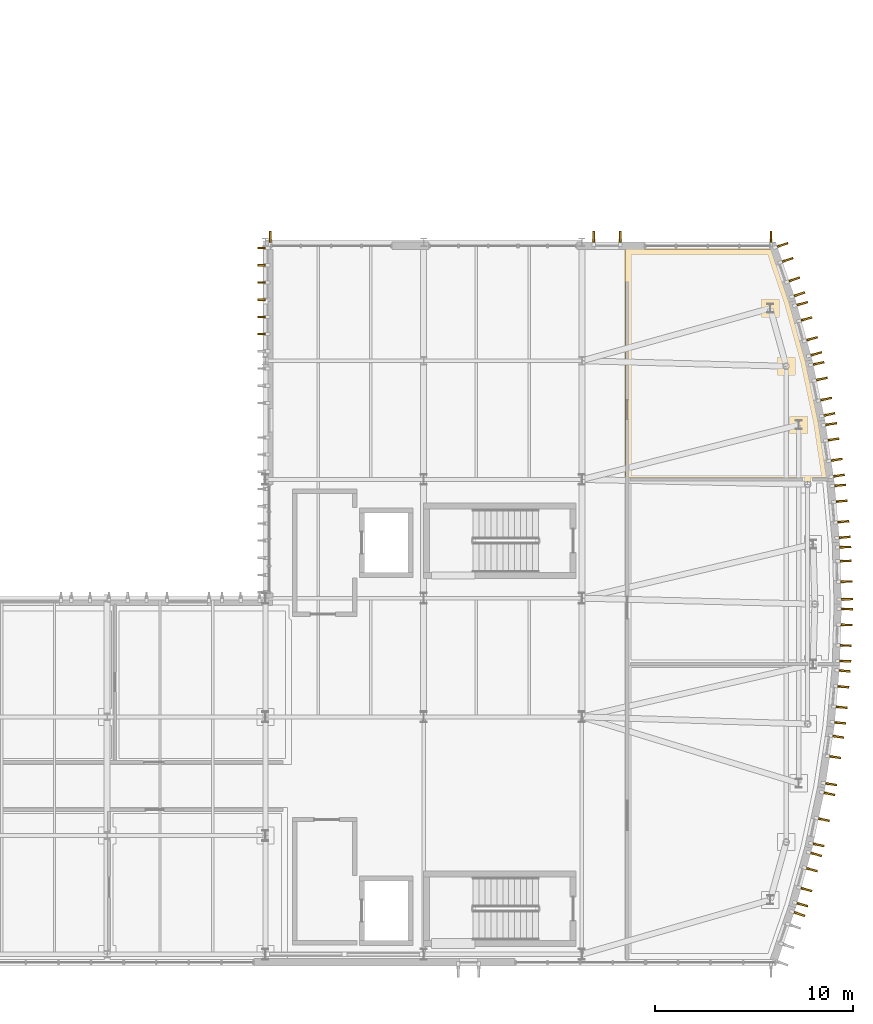
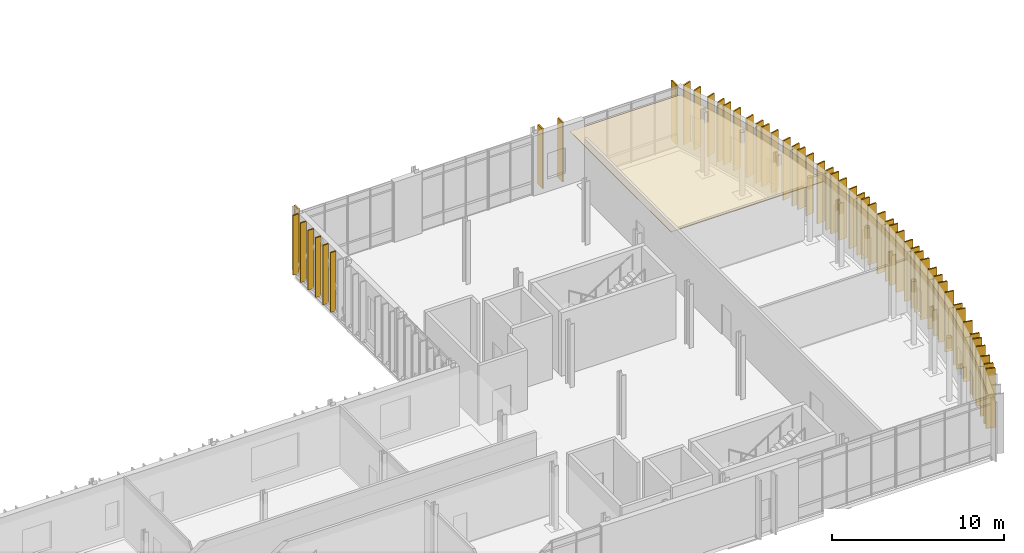
# One storey, part 100 of 100: 54 coverings.
"""IFC4 building model written with IfcOpenShell, lengths in metres."""

from ifc_helpers import new_model, si_unit, direction, frame, origin, origin_2d, place, context, subcontext, project, spatial, polyline, rectangle, outline, extrude, material, layer, layer_set, type_object, element, save


model = new_model("IFC4")

# Units and contexts
model_context = context("Model", 3, precision=1e-05, world=origin(), true_north=direction((0.0, 1.0)))
body_context = subcontext(model_context, "Body", "Model", "MODEL_VIEW")
ifc_project = project(units=[si_unit("LENGTHUNIT", "METRE"), si_unit("AREAUNIT", "SQUARE_METRE"), si_unit("VOLUMEUNIT", "CUBIC_METRE"), si_unit("PLANEANGLEUNIT", "RADIAN"), si_unit("MASSUNIT", "GRAM", prefix="KILO")], contexts=[model_context])

# Site, building, storey
site_placement = place(None, origin())
site = spatial("IfcSite", under=ifc_project, at=site_placement, CompositionType="ELEMENT")
building_placement = place(site_placement, origin())
building = spatial("IfcBuilding", under=site, at=building_placement, Name="Cymarion Research Institute", CompositionType="ELEMENT")
storey_placement = place(building_placement, frame((0.0, 0.0, 9.300048828125)))
storey = spatial("IfcBuildingStorey", under=building, at=storey_placement, Name="L02", CompositionType="ELEMENT", Elevation=9.300048828125)

# Coverings
ifc_material_1 = material(Name="Micro-perforated mineral acoustic ceiling tile", Category="gypsum")
ifc_layer_1 = layer(ifc_material_1, 0.030029296875)
ifc_layer_set_1 = layer_set([ifc_layer_1], Name="Micro-perforated mineral acoustic ceiling tile")
covering_type_1 = type_object("IfcCoveringType", Name="ACOUSTIC MICRO-PERFORATED SUSPENDED CEILING CLG-01", PredefinedType="CEILING", material=ifc_layer_set_1)
covering_placement = place(storey_placement, frame((0.0, 0.0, 3.699951171875)))
element("IfcCovering", 1, at=covering_placement, inside=storey, type_object=covering_type_1, Name="L02 L02 Prow Collaborative Reading Lounge acoustic ceiling", PredefinedType="CEILING", context=body_context, shape_type="SweptSolid", body=[
    extrude(outline(polyline([(164.22412109375, 41.1650390625), (165.14599609375, 38.47021484375), (165.971923828125, 35.482666015625), (166.617431640625, 32.45068359375), (167.080322265625, 29.385009765625), (156.784912109375, 29.385009765625), (156.784912109375, 41.1650390625), (164.22412109375, 41.1650390625)])), origin(), (0.0, 0.0, 1.0), 0.030029296875),
])
ifc_material_2 = material(Name="Precast concrete C45/55 architectural white", Category="concrete")
ifc_layer_2 = layer(ifc_material_2, 0.090087890625)
ifc_layer_set_2 = layer_set([ifc_layer_2], Name="Precast concrete C45/55 architectural white")
covering_type_2 = type_object("IfcCoveringType", Name="ARCHITECTURAL WHITE PRECAST CONCRETE VERTICAL FIN FIN1 560MM", PredefinedType="CLADDING", material=ifc_layer_set_2)
for number, where, z_axis, x_axis, name in (
    (2, (165.597900390625, 7.530029296875, 0.010009765625), (0.0, 0.0, 1.0), (0.946141878672, -0.32375229022, 0.0), "L02 V1 white precast vertical fin FIN1 #217"),
    (3, (165.74462890625, 8.004638671875, 0.010009765625), (0.0, 0.0, 1.0), (0.963863295733, -0.266397348219, 0.0), "L02 V1 white precast vertical fin FIN1 #218"),
    (4, (165.95556640625, 8.76806640625, 0.010009765625), (0.0, 0.0, 1.0), (0.963863295733, -0.266397348219, 0.0), "L02 V1 white precast vertical fin FIN1 #219"),
    (5, (166.232666015625, 9.7705078125, 0.010009765625), (0.0, 0.0, 1.0), (0.963863295733, -0.266397348219, 0.0), "L02 V1 white precast vertical fin FIN1 #220"),
    (6, (166.447021484375, 10.545654296875, 0.010009765625), (0.0, 0.0, 1.0), (0.963863295733, -0.266397348219, 0.0), "L02 V1 white precast vertical fin FIN1 #221"),
    (7, (166.56494140625, 11.028076171875, 0.010009765625), (0.0, 0.0, 1.0), (0.978074966272, -0.208253116068, 0.0), "L02 V1 white precast vertical fin FIN1 #222"),
    (8, (166.8359375, 12.300537109375, 0.010009765625), (0.0, 0.0, 1.0), (0.978074966272, -0.208253116068, 0.0), "L02 V1 white precast vertical fin FIN1 #223"),
    (9, (167.114013671875, 13.606689453125, 0.010009765625), (0.0, 0.0, 1.0), (0.978074966272, -0.208253116068, 0.0), "L02 V1 white precast vertical fin FIN1 #224"),
    (10, (167.202880859375, 14.09521484375, 0.010009765625), (0.0, 0.0, 1.0), (0.988782464828, -0.149362770624, 0.0), "L02 V1 white precast vertical fin FIN1 #225"),
    (11, (167.409423828125, 15.4638671875, 0.010009765625), (0.0, 0.0, 1.0), (0.988782464828, -0.149362770624, 0.0), "L02 V1 white precast vertical fin FIN1 #226"),
    (12, (167.564697265625, 16.4921875, 0.010009765625), (0.0, 0.0, 1.0), (0.988782464828, -0.149362770624, 0.0), "L02 V1 white precast vertical fin FIN1 #227"),
    (13, (167.65576171875, 17.195068359375, 0.010009765625), (0.0, 0.0, 1.0), (0.995963111248, -0.089763472712, 0.0), "L02 V1 white precast vertical fin FIN1 #228"),
    (14, (167.726806640625, 17.98388671875, 0.010009765625), (0.0, 0.0, 1.0), (0.995963111248, -0.089763472712, 0.0), "L02 V1 white precast vertical fin FIN1 #229"),
    (15, (167.8203125, 19.019775390625, 0.010009765625), (0.0, 0.0, 1.0), (0.995963111248, -0.089763472712, 0.0), "L02 V1 white precast vertical fin FIN1 #230"),
    (16, (167.892333984375, 19.82080078125, 0.010009765625), (0.0, 0.0, 1.0), (0.995963111248, -0.089763472712, 0.0), "L02 V1 white precast vertical fin FIN1 #231"),
    (17, (167.922119140625, 20.31640625, 0.010009765625), (0.0, 0.0, 1.0), (0.99954944375, -0.030015154483, 0.0), "L02 V1 white precast vertical fin FIN1 #232"),
    (18, (167.94580078125, 21.108154296875, 0.010009765625), (0.0, 0.0, 1.0), (0.99954944375, -0.030015154483, 0.0), "L02 V1 white precast vertical fin FIN1 #233"),
    (19, (167.97705078125, 22.147705078125, 0.010009765625), (0.0, 0.0, 1.0), (0.99954944375, -0.030015154483, 0.0), "L02 V1 white precast vertical fin FIN1 #234"),
    (20, (168.001220703125, 22.95166015625, 0.010009765625), (0.0, 0.0, 1.0), (0.99954944375, -0.030015154483, 0.0), "L02 V1 white precast vertical fin FIN1 #235"),
    (21, (168.001220703125, 23.4482421875, 0.010009765625), (0.0, 0.0, 1.0), (0.99954944375, 0.030015154483, 0.0), "L02 V1 white precast vertical fin FIN1 #236"),
    (22, (167.974365234375, 24.33984375, 0.010009765625), (0.0, 0.0, 1.0), (0.99954944375, 0.030015154483, 0.0), "L02 V1 white precast vertical fin FIN1 #237"),
    (23, (167.943359375, 25.37939453125, 0.010009765625), (0.0, 0.0, 1.0), (0.99954944375, 0.030015154483, 0.0), "L02 V1 white precast vertical fin FIN1 #238"),
    (24, (167.922119140625, 26.08349609375, 0.010009765625), (0.0, 0.0, 1.0), (0.99954944375, 0.030015154483, 0.0), "L02 V1 white precast vertical fin FIN1 #239"),
    (25, (167.892333984375, 26.579345703125, 0.010009765625), (0.0, 0.0, 1.0), (0.995963111248, 0.089763472712, 0.0), "L02 V1 white precast vertical fin FIN1 #240"),
    (26, (167.8212890625, 27.3681640625, 0.010009765625), (0.0, 0.0, 1.0), (0.995963111248, 0.089763472712, 0.0), "L02 V1 white precast vertical fin FIN1 #241"),
    (27, (167.727783203125, 28.40380859375, 0.010009765625), (0.0, 0.0, 1.0), (0.995963111248, 0.089763472712, 0.0), "L02 V1 white precast vertical fin FIN1 #242"),
    (28, (167.65576171875, 29.204833984375, 0.010009765625), (0.0, 0.0, 1.0), (0.995963111248, 0.089763472712, 0.0), "L02 V1 white precast vertical fin FIN1 #243"),
    (29, (167.59619140625, 29.697998046875, 0.010009765625), (0.0, 0.0, 1.0), (0.988782464828, 0.149362770624, 0.0), "L02 V1 white precast vertical fin FIN1 #244"),
    (30, (167.475341796875, 30.498779296875, 0.010009765625), (0.0, 0.0, 1.0), (0.988782464828, 0.149362770624, 0.0), "L02 V1 white precast vertical fin FIN1 #245"),
    (31, (167.320068359375, 31.52734375, 0.010009765625), (0.0, 0.0, 1.0), (0.988782464828, 0.149362770624, 0.0), "L02 V1 white precast vertical fin FIN1 #246"),
    (32, (167.202880859375, 32.3046875, 0.010009765625), (0.0, 0.0, 1.0), (0.988782464828, 0.149362770624, 0.0), "L02 V1 white precast vertical fin FIN1 #247"),
    (33, (167.114013671875, 32.79345703125, 0.010009765625), (0.0, 0.0, 1.0), (0.978074966272, 0.208253116068, 0.0), "L02 V1 white precast vertical fin FIN1 #248"),
    (34, (166.948974609375, 33.568115234375, 0.010009765625), (0.0, 0.0, 1.0), (0.978074966272, 0.208253116068, 0.0), "L02 V1 white precast vertical fin FIN1 #249"),
    (35, (166.732421875, 34.585205078125, 0.010009765625), (0.0, 0.0, 1.0), (0.978074966272, 0.208253116068, 0.0), "L02 V1 white precast vertical fin FIN1 #250"),
    (36, (166.56494140625, 35.371826171875, 0.010009765625), (0.0, 0.0, 1.0), (0.978074966272, 0.208253116068, 0.0), "L02 V1 white precast vertical fin FIN1 #251"),
    (37, (166.447021484375, 35.8544921875, 0.010009765625), (0.0, 0.0, 1.0), (0.963863295733, 0.266397348219, 0.0), "L02 V1 white precast vertical fin FIN1 #252"),
    (38, (166.236083984375, 36.61767578125, 0.010009765625), (0.0, 0.0, 1.0), (0.963863295733, 0.266397348219, 0.0), "L02 V1 white precast vertical fin FIN1 #253"),
    (39, (165.958984375, 37.6201171875, 0.010009765625), (0.0, 0.0, 1.0), (0.963863295733, 0.266397348219, 0.0), "L02 V1 white precast vertical fin FIN1 #254"),
    (40, (165.74462890625, 38.395263671875, 0.010009765625), (0.0, 0.0, 1.0), (0.963863295733, 0.266397348219, 0.0), "L02 V1 white precast vertical fin FIN1 #255"),
    (41, (165.597900390625, 38.869873046875, 0.010009765625), (0.0, 0.0, 1.0), (0.946141878672, 0.32375229022, 0.0), "L02 V1 white precast vertical fin FIN1 #256"),
    (42, (165.341552734375, 39.619140625, 0.010009765625), (0.0, 0.0, 1.0), (0.946141878672, 0.32375229022, 0.0), "L02 V1 white precast vertical fin FIN1 #257"),
    (43, (165.0048828125, 40.603271484375, 0.010009765625), (0.0, 0.0, 1.0), (0.946141878672, 0.32375229022, 0.0), "L02 V1 white precast vertical fin FIN1 #258"),
    (44, (164.744384765625, 41.3642578125, 0.010009765625), (0.0, 0.0, 1.0), (0.946141878672, 0.32375229022, 0.0), "L02 V1 white precast vertical fin FIN1 #259"),
    (45, (164.159912109375, 41.781982421875, 0.010009765625), (0.0, 0.0, 1.0), (0.0, 1.0, 0.0), "L02 V1 white precast vertical fin FIN1 #260"),
    (46, (156.539794921875, 41.781982421875, 0.010009765625), (0.0, 0.0, 1.0), (0.0, 1.0, 0.0), "L02 V1 white precast vertical fin FIN1 #261"),
    (47, (155.19970703125, 41.781982421875, 0.010009765625), (0.0, 0.0, 1.0), (0.0, 1.0, 0.0), "L02 V1 white precast vertical fin FIN1 #262"),
    (48, (138.840087890625, 41.781982421875, 0.010009765625), (0.0, 0.0, 1.0), (0.0, 1.0, 0.0), "L02 V1 white precast vertical fin FIN1 #263"),
):
    element("IfcCovering", number, at=place(storey_placement, frame(where, z_axis=z_axis, x_axis=x_axis)), inside=storey, type_object=covering_type_2, Name=name, PredefinedType="CLADDING", context=body_context, shape_type="SweptSolid", body=[
        extrude(rectangle(XDim=0.56005859375, YDim=0.090087890625, at=origin_2d()), origin(), (0.0, 0.0, 1.0), 4.22998046875),
    ])
ifc_layer_3 = layer(ifc_material_2, 0.0849609375)
ifc_layer_set_3 = layer_set([ifc_layer_3], Name="Precast concrete C45/55 architectural white")
covering_type_3 = type_object("IfcCoveringType", Name="ARCHITECTURAL WHITE PRECAST CONCRETE VERTICAL FIN FIN3 380MM", PredefinedType="CLADDING", material=ifc_layer_set_3)
for number, where, z_axis, x_axis, name in (
    (49, (138.407958984375, 41.199951171875, 0.010009765625), (0.0, 0.0, 1.0), (-1.0, 0.0, 0.0), "L02 V1 white precast vertical fin FIN3 #264"),
    (50, (138.407958984375, 40.330078125, 0.010009765625), (0.0, 0.0, 1.0), (-1.0, 0.0, 0.0), "L02 V1 white precast vertical fin FIN3 #265"),
    (51, (138.407958984375, 39.4599609375, 0.010009765625), (0.0, 0.0, 1.0), (-1.0, 0.0, 0.0), "L02 V1 white precast vertical fin FIN3 #266"),
    (52, (138.407958984375, 38.590087890625, 0.010009765625), (0.0, 0.0, 1.0), (-1.0, 0.0, 0.0), "L02 V1 white precast vertical fin FIN3 #267"),
    (53, (138.407958984375, 37.719970703125, 0.010009765625), (0.0, 0.0, 1.0), (-1.0, 0.0, 0.0), "L02 V1 white precast vertical fin FIN3 #268"),
    (54, (138.407958984375, 36.85009765625, 0.010009765625), (0.0, 0.0, 1.0), (-1.0, 0.0, 0.0), "L02 V1 white precast vertical fin FIN3 #269"),
):
    element("IfcCovering", number, at=place(storey_placement, frame(where, z_axis=z_axis, x_axis=x_axis)), inside=storey, type_object=covering_type_3, Name=name, PredefinedType="CLADDING", context=body_context, shape_type="SweptSolid", body=[
        extrude(rectangle(XDim=0.3798828125, YDim=0.0849609375, at=origin_2d()), origin(), (0.0, 0.0, 1.0), 4.22998046875),
    ])

save(model, "model.ifc")
